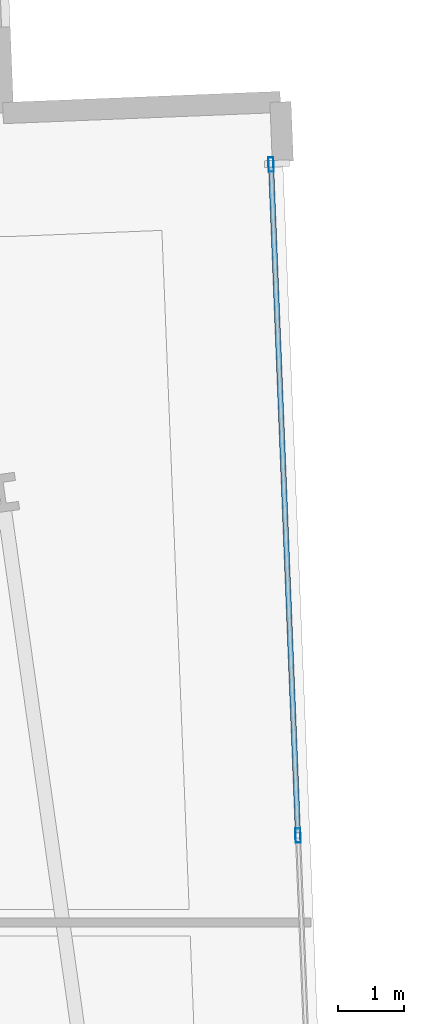
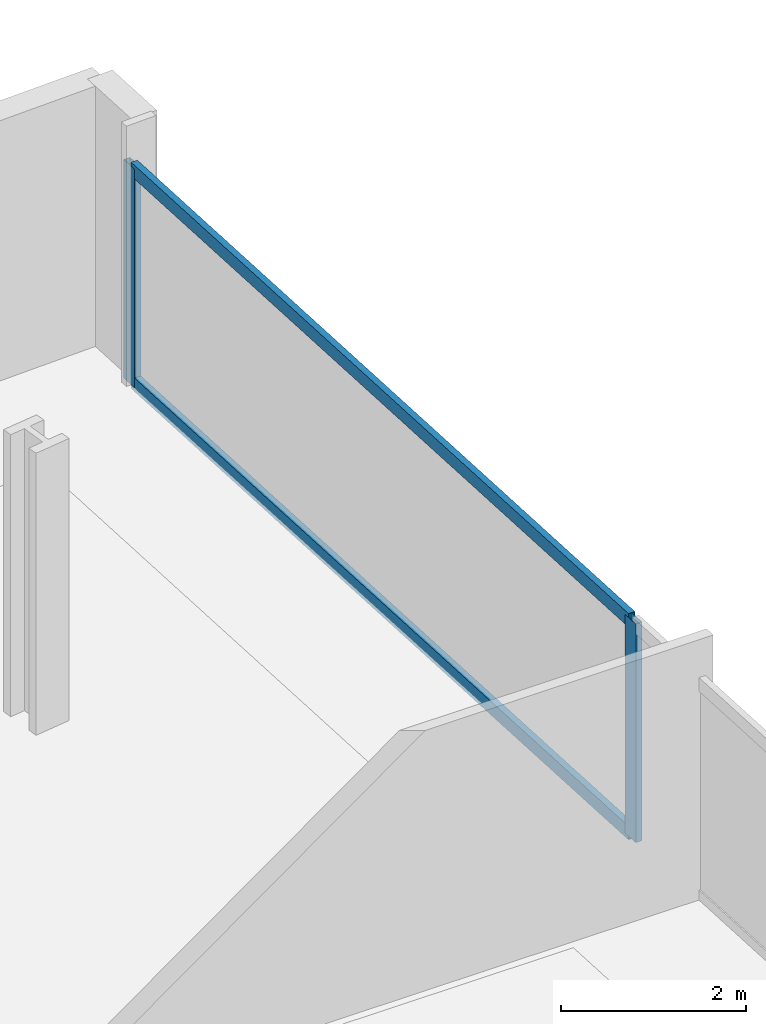
# One storey, part 21 of 32: 4 members, 1 element without a shape of its own.
"""IFC4 building model written with IfcOpenShell, lengths in metres."""

from ifc_helpers import new_model, si_unit, direction, frame, origin, origin_2d, place, context, subcontext, project, spatial, hollow_rectangle, extrude, material, material_profile, profile_set, type_object, element, aggregate, save


model = new_model("IFC4")

# Units and contexts
model_context = context("Model", 3, precision=1e-05, world=origin(), true_north=direction((0.0, 1.0)))
body_context = subcontext(model_context, "Body", "Model", "MODEL_VIEW")
ifc_project = project(units=[si_unit("LENGTHUNIT", "METRE"), si_unit("AREAUNIT", "SQUARE_METRE"), si_unit("VOLUMEUNIT", "CUBIC_METRE"), si_unit("PLANEANGLEUNIT", "RADIAN"), si_unit("MASSUNIT", "GRAM", prefix="KILO")], contexts=[model_context])

# Site, building, storey
site_placement = place(None, origin())
site = spatial("IfcSite", under=ifc_project, at=site_placement, CompositionType="ELEMENT")
building_placement = place(site_placement, origin())
building = spatial("IfcBuilding", under=site, at=building_placement, Name="Haldenkirk Collegiate Tower", CompositionType="ELEMENT")
storey_placement = place(building_placement, frame((0.0, 0.0, 36.449951171875)))
storey = spatial("IfcBuildingStorey", under=building, at=storey_placement, Name="L07", CompositionType="ELEMENT", Elevation=36.449951171875)

# Curtain wall, members
ifc_material = material(Name="Anodised architectural bronze aluminium", Category="aluminium")
curtain_wall_type = type_object("IfcCurtainWallType", Name="CW-SYS1-CONVEX-LOW", PredefinedType="USERDEFINED", material=ifc_material)
curtain_wall_placement = place(storey_placement, origin())
curtain_wall = element("IfcCurtainWall", 1, at=curtain_wall_placement, inside=storey, type_object=curtain_wall_type, Name="L07 Lower tower convex bronze-framed unitised curtain wall", ObjectType="UNITISED CURTAIN WALL", PredefinedType="USERDEFINED")
ifc_material_profile_1 = material_profile(ifc_material, hollow_rectangle(XDim=0.080078125, YDim=0.219970703125, WallThickness=0.0048828125, at=origin_2d()), Name="CW-MUL-1A")
ifc_profile_set_1 = profile_set([ifc_material_profile_1], Name="Anodised architectural bronze aluminium")
member_type_1 = type_object("IfcMemberType", Name="CW-MUL-1A", PredefinedType="MULLION", material=ifc_profile_set_1)
member_1_placement = place(storey_placement, frame((61.961181640625, 47.91943359375, 0.0), z_axis=(0.0, 0.0, 1.0), x_axis=(0.999194371406, 0.040132382816, 0.0)))
member_1 = element("IfcMember", 2, at=member_1_placement, type_object=member_type_1, Name="CW-1A mullion 1", PredefinedType="MULLION", context=body_context, shape_type="SweptSolid", body=[
    extrude(hollow_rectangle(XDim=0.080078125, YDim=0.219970703125, WallThickness=0.0048828125, at=origin_2d()), origin(), (0.0, 0.0, 1.0), 2.89111328125),
])
member_2_placement = place(storey_placement, frame((62.368896484375, 37.767822265625, 0.0), z_axis=(0.0, 0.0, 1.0), x_axis=(0.999194371406, 0.040132382816, 0.0)))
member_2 = element("IfcMember", 3, at=member_2_placement, type_object=member_type_1, Name="CW-1A mullion 2", PredefinedType="MULLION", context=body_context, shape_type="SweptSolid", body=[
    extrude(hollow_rectangle(XDim=0.080078125, YDim=0.219970703125, WallThickness=0.0048828125, at=origin_2d()), origin(), (0.0, 0.0, 1.0), 2.89111328125),
])
ifc_material_profile_2 = material_profile(ifc_material, hollow_rectangle(XDim=0.080078125, YDim=0.179931640625, WallThickness=0.0048828125, at=origin_2d()), Name="CW-TRN-1A")
ifc_profile_set_2 = profile_set([ifc_material_profile_2], Name="Anodised architectural bronze aluminium")
member_type_2 = type_object("IfcMemberType", Name="CW-TRN-1A", PredefinedType="USERDEFINED", material=ifc_profile_set_2)
member_3_placement = place(storey_placement, frame((61.962890625, 47.879638671875, 0.0400390625), z_axis=(0.04013247043, -0.999194367887, 0.0), x_axis=(0.999194367887, 0.04013247043, 0.0)))
member_3 = element("IfcMember", 4, at=member_3_placement, type_object=member_type_2, Name="CW-1A transom 1.1", ObjectType="TRANSOM", PredefinedType="USERDEFINED", context=body_context, shape_type="SweptSolid", body=[
    extrude(hollow_rectangle(XDim=0.080078125, YDim=0.179931640625, WallThickness=0.0048828125, at=origin_2d()), origin(), (0.0, 0.0, 1.0), 10.080078125),
])
member_4_placement = place(storey_placement, frame((61.962890625, 47.879638671875, 2.85107421875), z_axis=(0.04013247043, -0.999194367887, 0.0), x_axis=(0.999194367887, 0.04013247043, 0.0)))
member_4 = element("IfcMember", 5, at=member_4_placement, type_object=member_type_2, Name="CW-1A transom 1.2", ObjectType="TRANSOM", PredefinedType="USERDEFINED", context=body_context, shape_type="SweptSolid", body=[
    extrude(hollow_rectangle(XDim=0.080078125, YDim=0.179931640625, WallThickness=0.0048828125, at=origin_2d()), origin(), (0.0, 0.0, 1.0), 10.080078125),
])
aggregate(curtain_wall, [member_1, member_2, member_3, member_4])

save(model, "model.ifc")
